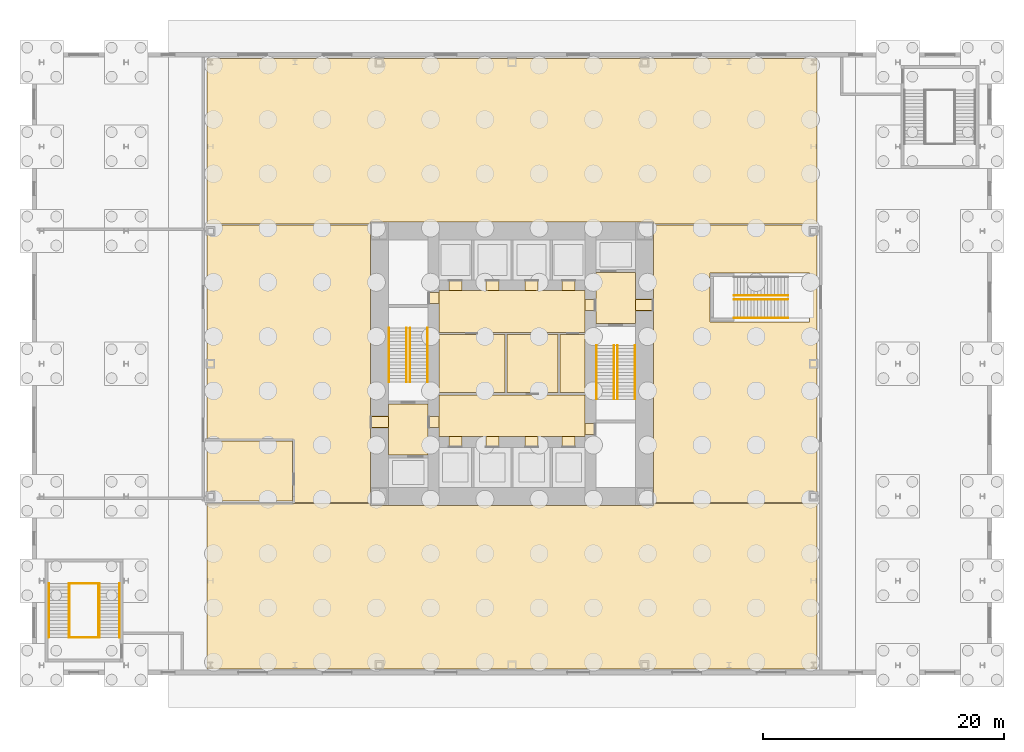
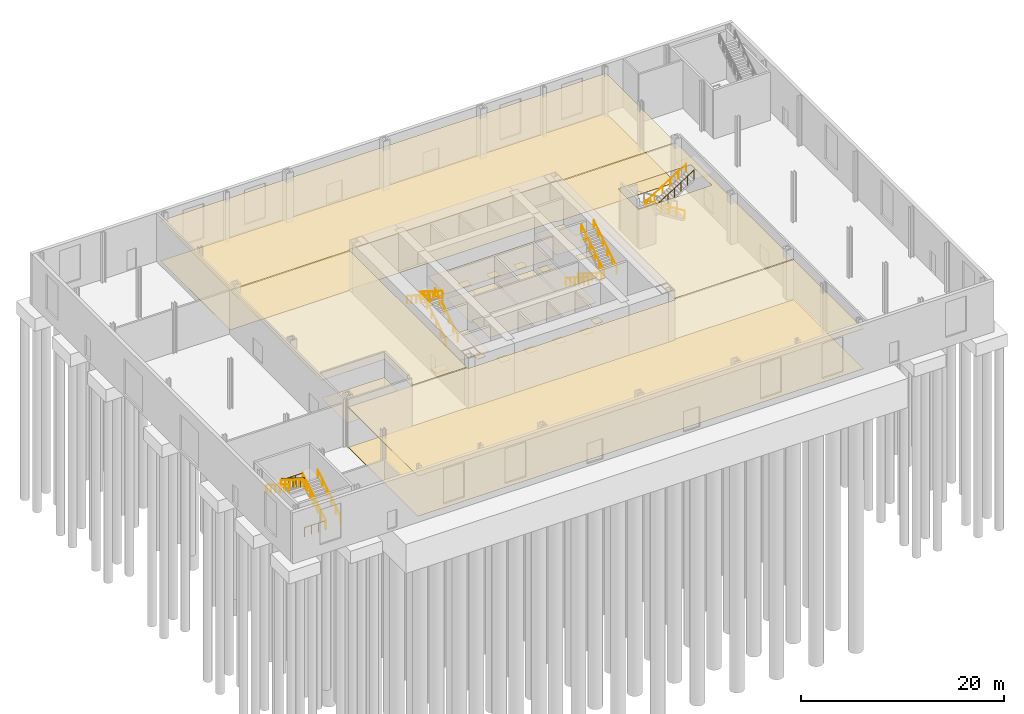
# One storey, part 14 of 16: 28 coverings, 19 railings.
"""IFC4 building model written with IfcOpenShell, lengths in metres."""

from ifc_helpers import new_model, si_unit, direction, frame, origin, origin_2d, place, context, subcontext, project, spatial, polyline, circle, outline, extrude, material, layer, layer_set, type_object, element, save


model = new_model("IFC4")

# Units and contexts
model_context = context("Model", 3, precision=1e-05, world=origin(), true_north=direction((0.0, 1.0)))
body_context = subcontext(model_context, "Body", "Model", "MODEL_VIEW")
ifc_project = project(units=[si_unit("LENGTHUNIT", "METRE"), si_unit("AREAUNIT", "SQUARE_METRE"), si_unit("VOLUMEUNIT", "CUBIC_METRE"), si_unit("PLANEANGLEUNIT", "RADIAN"), si_unit("MASSUNIT", "GRAM", prefix="KILO")], contexts=[model_context])

# Site, building, storey
site_placement = place(None, origin())
site = spatial("IfcSite", under=ifc_project, at=site_placement, CompositionType="ELEMENT")
building_placement = place(site_placement, origin())
building = spatial("IfcBuilding", under=site, at=building_placement, Name="Trevanion Tower", CompositionType="ELEMENT")
storey_placement = place(building_placement, origin())
storey = spatial("IfcBuildingStorey", under=building, at=storey_placement, Name="L00", CompositionType="ELEMENT", Elevation=0.0)

# Coverings
ifc_material_1 = material(Name="Fibrous plaster coffers on suspended steel grid", Category="steel")
ifc_layer_1 = layer(ifc_material_1, 0.050048828125)
ifc_layer_set_1 = layer_set([ifc_layer_1], Name="CL1 coffered fibrous plaster ceiling 50")
covering_type_1 = type_object("IfcCoveringType", Name="CL1 coffered fibrous plaster ceiling 50", PredefinedType="CEILING", material=ifc_layer_set_1)
covering_1_placement = place(storey_placement, frame((0.0, 0.0, 3.0)))
element("IfcCovering", 1, at=covering_1_placement, inside=storey, type_object=covering_type_1, Name="CL1 L00-LBN", PredefinedType="CEILING", context=body_context, shape_type="SweptSolid", body=[
    extrude(outline(polyline([(-6.050048828125, 2.60009765625), (-6.050048828125, 6.050048828125), (6.050048828125, 6.050048828125), (6.050048828125, 2.60009765625), (-6.050048828125, 2.60009765625)])), origin(), (0.0, 0.0, 1.0), 0.050048828125),
])
covering_2_placement = place(storey_placement, frame((0.0, 0.0, 3.0)))
element("IfcCovering", 2, at=covering_2_placement, inside=storey, type_object=covering_type_1, Name="CL1 L00-LBS", PredefinedType="CEILING", context=body_context, shape_type="SweptSolid", body=[
    extrude(outline(polyline([(-6.050048828125, -6.050048828125), (-6.050048828125, -2.60009765625), (6.050048828125, -2.60009765625), (6.050048828125, -6.050048828125), (-6.050048828125, -6.050048828125)])), origin(), (0.0, 0.0, 1.0), 0.050048828125),
])
covering_3_placement = place(storey_placement, frame((0.0, 0.0, 4.782958984375)))
element("IfcCovering", 3, at=covering_3_placement, inside=storey, type_object=covering_type_1, Name="CL1 L00-LBO", PredefinedType="CEILING", context=body_context, shape_type="SweptSolid", body=[
    extrude(outline(polyline([(-25.300048828125, -25.300048828125), (-25.300048828125, -11.60009765625), (-11.75, -11.60009765625), (-11.75, -11.75), (11.75, -11.75), (11.75, -11.60009765625), (25.300048828125, -11.60009765625), (25.300048828125, -25.300048828125), (-25.300048828125, -25.300048828125)])), origin(), (0.0, 0.0, 1.0), 0.050048828125),
])
covering_4_placement = place(storey_placement, frame((0.0, 0.0, 4.782958984375)))
element("IfcCovering", 4, at=covering_4_placement, inside=storey, type_object=covering_type_1, Name="CL1 L00-LBH", PredefinedType="CEILING", context=body_context, shape_type="SweptSolid", body=[
    extrude(outline(polyline([(11.75, 11.60009765625), (11.75, 11.75), (-11.75, 11.75), (-11.75, 11.60009765625), (-25.300048828125, 11.60009765625), (-25.300048828125, 25.300048828125), (25.300048828125, 25.300048828125), (25.300048828125, 11.60009765625), (11.75, 11.60009765625)])), origin(), (0.0, 0.0, 1.0), 0.050048828125),
])
covering_5_placement = place(storey_placement, frame((0.0, 0.0, 4.782958984375)))
element("IfcCovering", 5, at=covering_5_placement, inside=storey, type_object=covering_type_1, Name="CL1 L00-BH1", PredefinedType="CEILING", context=body_context, shape_type="SweptSolid", body=[
    extrude(outline(polyline([(11.75, 11.5), (25.300048828125, 11.5), (25.300048828125, -11.5), (11.75, -11.5), (11.75, 11.5)]), holes=[polyline([(24.679931640625, 3.469970703125), (24.679931640625, 7.530029296875), (16.39990234375, 7.530029296875), (16.39990234375, 3.469970703125), (24.679931640625, 3.469970703125)])]), origin(), (0.0, 0.0, 1.0), 0.050048828125),
])
covering_6_placement = place(storey_placement, frame((0.0, 0.0, 4.782958984375)))
element("IfcCovering", 6, at=covering_6_placement, inside=storey, type_object=covering_type_1, Name="CL1 L00-BH2", PredefinedType="CEILING", context=body_context, shape_type="SweptSolid", body=[
    extrude(outline(polyline([(-11.75, -11.5), (-18.10009765625, -11.5), (-18.10009765625, -6.300048828125), (-25.300048828125, -6.300048828125), (-25.300048828125, 11.5), (-11.75, 11.5), (-11.75, -11.5)])), origin(), (0.0, 0.0, 1.0), 0.050048828125),
])
ifc_material_2 = material(Name="Mineral fibre acoustic tiles in exposed grid", Category="mineral fibre")
ifc_layer_2 = layer(ifc_material_2, 0.02001953125)
ifc_layer_set_2 = layer_set([ifc_layer_2], Name="CL2 acoustic tile ceiling 20")
covering_type_2 = type_object("IfcCoveringType", Name="CL2 acoustic tile ceiling 20", PredefinedType="CEILING", material=ifc_layer_set_2)
covering_7_placement = place(storey_placement, frame((0.0, 0.0, 2.75)))
element("IfcCovering", 7, at=covering_7_placement, inside=storey, type_object=covering_type_2, Name="CL2 L00-FCC", PredefinedType="CEILING", context=body_context, shape_type="SweptSolid", body=[
    extrude(outline(polyline([(-18.199951171875, -6.39990234375), (-18.199951171875, -11.39990234375), (-25.300048828125, -11.39990234375), (-25.300048828125, -6.39990234375), (-18.199951171875, -6.39990234375)])), origin(), (0.0, 0.0, 1.0), 0.02001953125),
])
ifc_material_3 = material(Name="Gypsum plasterboard on suspended metal furring", Category="gypsum")
ifc_layer_3 = layer(ifc_material_3, 0.012939453125)
ifc_layer_set_3 = layer_set([ifc_layer_3], Name="CL3 plasterboard ceiling 13")
covering_type_3 = type_object("IfcCoveringType", Name="CL3 plasterboard ceiling 13", PredefinedType="CEILING", material=ifc_layer_set_3)
covering_8_placement = place(storey_placement, frame((0.0, 0.0, 2.699951171875)))
element("IfcCovering", 8, at=covering_8_placement, inside=storey, type_object=covering_type_3, Name="CL3 L00-FV1", PredefinedType="CEILING", context=body_context, shape_type="SweptSolid", body=[
    extrude(outline(polyline([(6.949951171875, 3.324951171875), (6.949951171875, 7.574951171875), (10.25, 7.574951171875), (10.25, 5.35009765625), (11.60009765625, 5.35009765625), (11.60009765625, 4.35009765625), (10.25, 4.35009765625), (10.25, 3.324951171875), (6.949951171875, 3.324951171875)])), origin(), (0.0, 0.0, 1.0), 0.012939453125),
])
covering_9_placement = place(storey_placement, frame((0.0, 0.0, 2.699951171875)))
element("IfcCovering", 9, at=covering_9_placement, inside=storey, type_object=covering_type_3, Name="CL3 L00-FV2", PredefinedType="CEILING", context=body_context, shape_type="SweptSolid", body=[
    extrude(outline(polyline([(-6.949951171875, -3.324951171875), (-6.949951171875, -7.574951171875), (-10.25, -7.574951171875), (-10.25, -5.35009765625), (-11.60009765625, -5.35009765625), (-11.60009765625, -4.35009765625), (-10.25, -4.35009765625), (-10.25, -3.324951171875), (-6.949951171875, -3.324951171875)])), origin(), (0.0, 0.0, 1.0), 0.012939453125),
])
ifc_material_4 = material(Name="Moisture-resistant gypsum board on suspended metal furring", Category="gypsum")
ifc_layer_4 = layer(ifc_material_4, 0.01611328125)
ifc_layer_set_4 = layer_set([ifc_layer_4], Name="CL4 moisture-resistant board ceiling 16")
covering_type_4 = type_object("IfcCoveringType", Name="CL4 moisture-resistant board ceiling 16", PredefinedType="CEILING", material=ifc_layer_set_4)
covering_10_placement = place(storey_placement, frame((0.0, 0.0, 2.60009765625)))
element("IfcCovering", 10, at=covering_10_placement, inside=storey, type_object=covering_type_4, Name="CL4 L00-WCM", PredefinedType="CEILING", context=body_context, shape_type="SweptSolid", body=[
    extrude(outline(polyline([(-6.050048828125, -2.39990234375), (-6.050048828125, 2.39990234375), (-0.60009765625, 2.39990234375), (-0.60009765625, -2.39990234375), (-6.050048828125, -2.39990234375)])), origin(), (0.0, 0.0, 1.0), 0.015869140625),
])
covering_11_placement = place(storey_placement, frame((0.0, 0.0, 2.60009765625)))
element("IfcCovering", 11, at=covering_11_placement, inside=storey, type_object=covering_type_4, Name="CL4 L00-WCF", PredefinedType="CEILING", context=body_context, shape_type="SweptSolid", body=[
    extrude(outline(polyline([(-0.39990234375, -2.39990234375), (-0.39990234375, 2.39990234375), (3.800048828125, 2.39990234375), (3.800048828125, -2.39990234375), (-0.39990234375, -2.39990234375)])), origin(), (0.0, 0.0, 1.0), 0.015869140625),
])
covering_12_placement = place(storey_placement, frame((0.0, 0.0, 2.60009765625)))
element("IfcCovering", 12, at=covering_12_placement, inside=storey, type_object=covering_type_4, Name="CL4 L00-WCA", PredefinedType="CEILING", context=body_context, shape_type="SweptSolid", body=[
    extrude(outline(polyline([(4.0, -2.39990234375), (4.0, 2.39990234375), (6.050048828125, 2.39990234375), (6.050048828125, -2.39990234375), (4.0, -2.39990234375)])), origin(), (0.0, 0.0, 1.0), 0.015869140625),
])
ifc_material_5 = material(Name="Terrazzo, brass divider strips", Category="stone")
ifc_layer_5 = layer(ifc_material_5, 0.02001953125)
ifc_layer_set_5 = layer_set([ifc_layer_5], Name="FF1 terrazzo flooring")
covering_type_5 = type_object("IfcCoveringType", Name="FF1 terrazzo flooring", PredefinedType="FLOORING", material=ifc_layer_set_5)
covering_13_placement = place(storey_placement, frame((0.0, 0.0, 0.300048828125)))
element("IfcCovering", 13, at=covering_13_placement, inside=storey, type_object=covering_type_5, Name="FF1 threshold 00-001", PredefinedType="FLOORING", context=body_context, shape_type="SweptSolid", body=[
    extrude(outline(polyline([(11.75, 4.392578125), (11.75, 5.3076171875), (10.25, 5.3076171875), (10.25, 4.392578125), (11.75, 4.392578125)])), origin(), (0.0, 0.0, 1.0), 0.02001953125),
])
covering_14_placement = place(storey_placement, frame((0.0, 0.0, 0.300048828125)))
element("IfcCovering", 14, at=covering_14_placement, inside=storey, type_object=covering_type_5, Name="FF1 threshold 00-002", PredefinedType="FLOORING", context=body_context, shape_type="SweptSolid", body=[
    extrude(outline(polyline([(-11.75, -4.392578125), (-11.75, -5.3076171875), (-10.25, -5.3076171875), (-10.25, -4.392578125), (-11.75, -4.392578125)])), origin(), (0.0, 0.0, 1.0), 0.02001953125),
])
covering_15_placement = place(storey_placement, frame((0.0, 0.0, 0.300048828125)))
element("IfcCovering", 15, at=covering_15_placement, inside=storey, type_object=covering_type_5, Name="FF1 threshold 00-003", PredefinedType="FLOORING", context=body_context, shape_type="SweptSolid", body=[
    extrude(outline(polyline([(6.949951171875, 4.392578125), (6.949951171875, 5.3076171875), (6.050048828125, 5.3076171875), (6.050048828125, 4.392578125), (6.949951171875, 4.392578125)])), origin(), (0.0, 0.0, 1.0), 0.02001953125),
])
covering_16_placement = place(storey_placement, frame((0.0, 0.0, 0.300048828125)))
element("IfcCovering", 16, at=covering_16_placement, inside=storey, type_object=covering_type_5, Name="FF1 threshold 00-004", PredefinedType="FLOORING", context=body_context, shape_type="SweptSolid", body=[
    extrude(outline(polyline([(-6.949951171875, -4.392578125), (-6.949951171875, -5.3076171875), (-6.050048828125, -5.3076171875), (-6.050048828125, -4.392578125), (-6.949951171875, -4.392578125)])), origin(), (0.0, 0.0, 1.0), 0.02001953125),
])
covering_17_placement = place(storey_placement, frame((0.0, 0.0, 0.300048828125)))
element("IfcCovering", 17, at=covering_17_placement, inside=storey, type_object=covering_type_5, Name="FF1 threshold 00-009", PredefinedType="FLOORING", context=body_context, shape_type="SweptSolid", body=[
    extrude(outline(polyline([(6.949951171875, -5.889892578125), (6.949951171875, -4.97509765625), (6.050048828125, -4.97509765625), (6.050048828125, -5.889892578125), (6.949951171875, -5.889892578125)])), origin(), (0.0, 0.0, 1.0), 0.02001953125),
])
covering_18_placement = place(storey_placement, frame((0.0, 0.0, 0.300048828125)))
element("IfcCovering", 18, at=covering_18_placement, inside=storey, type_object=covering_type_5, Name="FF1 threshold 00-010", PredefinedType="FLOORING", context=body_context, shape_type="SweptSolid", body=[
    extrude(outline(polyline([(-6.949951171875, 5.889892578125), (-6.949951171875, 4.97509765625), (-6.050048828125, 4.97509765625), (-6.050048828125, 5.889892578125), (-6.949951171875, 5.889892578125)])), origin(), (0.0, 0.0, 1.0), 0.02001953125),
])
covering_19_placement = place(storey_placement, frame((0.0, 0.0, 0.300048828125)))
element("IfcCovering", 19, at=covering_19_placement, inside=storey, type_object=covering_type_5, Name="FF1 threshold 00-011", PredefinedType="FLOORING", context=body_context, shape_type="SweptSolid", body=[
    extrude(outline(polyline([(-4.16650390625, 6.949951171875), (-5.2333984375, 6.949951171875), (-5.2333984375, 6.050048828125), (-4.16650390625, 6.050048828125), (-4.16650390625, 6.949951171875)])), origin(), (0.0, 0.0, 1.0), 0.02001953125),
])
covering_20_placement = place(storey_placement, frame((0.0, 0.0, 0.300048828125)))
element("IfcCovering", 20, at=covering_20_placement, inside=storey, type_object=covering_type_5, Name="FF1 threshold 00-012", PredefinedType="FLOORING", context=body_context, shape_type="SweptSolid", body=[
    extrude(outline(polyline([(-1.091552734375, 6.949951171875), (-2.158447265625, 6.949951171875), (-2.158447265625, 6.050048828125), (-1.091552734375, 6.050048828125), (-1.091552734375, 6.949951171875)])), origin(), (0.0, 0.0, 1.0), 0.02001953125),
])
covering_21_placement = place(storey_placement, frame((0.0, 0.0, 0.300048828125)))
element("IfcCovering", 21, at=covering_21_placement, inside=storey, type_object=covering_type_5, Name="FF1 threshold 00-013", PredefinedType="FLOORING", context=body_context, shape_type="SweptSolid", body=[
    extrude(outline(polyline([(2.158447265625, 6.949951171875), (1.091552734375, 6.949951171875), (1.091552734375, 6.050048828125), (2.158447265625, 6.050048828125), (2.158447265625, 6.949951171875)])), origin(), (0.0, 0.0, 1.0), 0.02001953125),
])
covering_22_placement = place(storey_placement, frame((0.0, 0.0, 0.300048828125)))
element("IfcCovering", 22, at=covering_22_placement, inside=storey, type_object=covering_type_5, Name="FF1 threshold 00-014", PredefinedType="FLOORING", context=body_context, shape_type="SweptSolid", body=[
    extrude(outline(polyline([(5.2333984375, 6.949951171875), (4.16650390625, 6.949951171875), (4.16650390625, 6.050048828125), (5.2333984375, 6.050048828125), (5.2333984375, 6.949951171875)])), origin(), (0.0, 0.0, 1.0), 0.02001953125),
])
covering_23_placement = place(storey_placement, frame((0.0, 0.0, 0.300048828125)))
element("IfcCovering", 23, at=covering_23_placement, inside=storey, type_object=covering_type_5, Name="FF1 threshold 00-015", PredefinedType="FLOORING", context=body_context, shape_type="SweptSolid", body=[
    extrude(outline(polyline([(-5.2333984375, -6.949951171875), (-4.16650390625, -6.949951171875), (-4.16650390625, -6.050048828125), (-5.2333984375, -6.050048828125), (-5.2333984375, -6.949951171875)])), origin(), (0.0, 0.0, 1.0), 0.02001953125),
])
covering_24_placement = place(storey_placement, frame((0.0, 0.0, 0.300048828125)))
element("IfcCovering", 24, at=covering_24_placement, inside=storey, type_object=covering_type_5, Name="FF1 threshold 00-016", PredefinedType="FLOORING", context=body_context, shape_type="SweptSolid", body=[
    extrude(outline(polyline([(-2.158447265625, -6.949951171875), (-1.091552734375, -6.949951171875), (-1.091552734375, -6.050048828125), (-2.158447265625, -6.050048828125), (-2.158447265625, -6.949951171875)])), origin(), (0.0, 0.0, 1.0), 0.02001953125),
])
covering_25_placement = place(storey_placement, frame((0.0, 0.0, 0.300048828125)))
element("IfcCovering", 25, at=covering_25_placement, inside=storey, type_object=covering_type_5, Name="FF1 threshold 00-017", PredefinedType="FLOORING", context=body_context, shape_type="SweptSolid", body=[
    extrude(outline(polyline([(1.091552734375, -6.949951171875), (2.158447265625, -6.949951171875), (2.158447265625, -6.050048828125), (1.091552734375, -6.050048828125), (1.091552734375, -6.949951171875)])), origin(), (0.0, 0.0, 1.0), 0.02001953125),
])
covering_26_placement = place(storey_placement, frame((0.0, 0.0, 0.300048828125)))
element("IfcCovering", 26, at=covering_26_placement, inside=storey, type_object=covering_type_5, Name="FF1 threshold 00-018", PredefinedType="FLOORING", context=body_context, shape_type="SweptSolid", body=[
    extrude(outline(polyline([(4.16650390625, -6.949951171875), (5.2333984375, -6.949951171875), (5.2333984375, -6.050048828125), (4.16650390625, -6.050048828125), (4.16650390625, -6.949951171875)])), origin(), (0.0, 0.0, 1.0), 0.02001953125),
])
covering_27_placement = place(storey_placement, origin())
element("IfcCovering", 27, at=covering_27_placement, inside=storey, type_object=covering_type_5, Name="FF1 L00-LBO", PredefinedType="FLOORING", context=body_context, shape_type="SweptSolid", body=[
    extrude(outline(polyline([(25.300048828125, -25.300048828125), (-25.300048828125, -25.300048828125), (-25.300048828125, -11.60009765625), (-11.75, -11.60009765625), (-11.75, -11.75), (11.75, -11.75), (11.75, -11.60009765625), (25.300048828125, -11.60009765625), (25.300048828125, -25.300048828125)])), origin(), (0.0, 0.0, 1.0), 0.02001953125),
])
covering_28_placement = place(storey_placement, origin())
element("IfcCovering", 28, at=covering_28_placement, inside=storey, type_object=covering_type_5, Name="FF1 L00-LBH", PredefinedType="FLOORING", context=body_context, shape_type="SweptSolid", body=[
    extrude(outline(polyline([(25.300048828125, 11.60009765625), (11.75, 11.60009765625), (11.75, 11.75), (-11.75, 11.75), (-11.75, 11.60009765625), (-25.300048828125, 11.60009765625), (-25.300048828125, 25.300048828125), (25.300048828125, 25.300048828125), (25.300048828125, 11.60009765625)])), origin(), (0.0, 0.0, 1.0), 0.02001953125),
])

# Railings
ifc_material_6 = material(Name="Painted steel balusters and stainless steel top rail", Category="steel")
railing_type_1 = type_object("IfcRailingType", Name="GR1 stair guard 1100", PredefinedType="GUARDRAIL", material=ifc_material_6)
for number, where, name in (
    (29, (-34.284912109375, -22.705078125, 0.0), "GR1 ST4 L00 floor landing well guard"),
    (30, (-34.284912109375, -18.22509765625, 3.0), "GR1 ST4 L00 half landing well guard"),
):
    element("IfcRailing", number, at=place(storey_placement, frame(where)), inside=storey, type_object=railing_type_1, Name=name, PredefinedType="GUARDRAIL", context=body_context, shape_type="SweptSolid", body=[
        extrude(circle(Radius=0.02490234375, at=origin_2d()), frame((0.0, 0.0, 1.0751953125), z_axis=(-1.0, 0.0, 0.0), x_axis=(0.0, -1.0, 0.0)), (0.0, 0.0, 1.0), 2.405029296875),
        extrude(circle(Radius=0.02001953125, at=origin_2d()), origin(), (0.0, 0.0, 1.0), 1.050048828125),
        extrude(circle(Radius=0.02001953125, at=origin_2d()), frame((-0.8017578125, 0.0, 0.0)), (0.0, 0.0, 1.0), 1.050048828125),
        extrude(circle(Radius=0.02001953125, at=origin_2d()), frame((-1.603271484375, 0.0, 0.0)), (0.0, 0.0, 1.0), 1.050048828125),
        extrude(circle(Radius=0.02001953125, at=origin_2d()), frame((-2.405029296875, 0.0, 0.0)), (0.0, 0.0, 1.0), 1.050048828125),
    ])
railing_1_placement = place(storey_placement, frame((-34.284912109375, -22.705078125, 0.176513671875)))
element("IfcRailing", 31, at=railing_1_placement, inside=storey, type_object=railing_type_1, Name="GR1 ST4 L00 flight 1 well guard", PredefinedType="GUARDRAIL", context=body_context, shape_type="SweptSolid", body=[
    extrude(circle(Radius=0.02490234375, at=origin_2d()), frame((0.0, 0.0, 1.0751953125), z_axis=(0.0, 0.845997938375, 0.533186166611), x_axis=(-1.0, 0.0, 0.0)), (0.0, 0.0, 1.0), 5.29541015625),
    extrude(circle(Radius=0.02001953125, at=origin_2d()), origin(), (0.0, 0.0, 1.0), 1.050048828125),
    extrude(circle(Radius=0.02001953125, at=origin_2d()), frame((0.0, 0.74658203125, 0.470703125)), (0.0, 0.0, 1.0), 1.050048828125),
    extrude(circle(Radius=0.02001953125, at=origin_2d()), frame((0.0, 1.493408203125, 0.941162109375)), (0.0, 0.0, 1.0), 1.050048828125),
    extrude(circle(Radius=0.02001953125, at=origin_2d()), frame((0.0, 2.239990234375, 1.41162109375)), (0.0, 0.0, 1.0), 1.050048828125),
    extrude(circle(Radius=0.02001953125, at=origin_2d()), frame((0.0, 2.986572265625, 1.88232421875)), (0.0, 0.0, 1.0), 1.050048828125),
    extrude(circle(Radius=0.02001953125, at=origin_2d()), frame((0.0, 3.7333984375, 2.35302734375)), (0.0, 0.0, 1.0), 1.050048828125),
    extrude(circle(Radius=0.02001953125, at=origin_2d()), frame((0.0, 4.47998046875, 2.823486328125)), (0.0, 0.0, 1.0), 1.050048828125),
])
railing_2_placement = place(storey_placement, frame((-36.68994140625, -18.22509765625, 3.176513671875)))
element("IfcRailing", 32, at=railing_2_placement, inside=storey, type_object=railing_type_1, Name="GR1 ST4 L00 flight 2 well guard", PredefinedType="GUARDRAIL", context=body_context, shape_type="SweptSolid", body=[
    extrude(circle(Radius=0.02490234375, at=origin_2d()), frame((0.0, 0.0, 1.0751953125), z_axis=(0.0, -0.845997938375, 0.533186166611), x_axis=(1.0, 0.0, 0.0)), (0.0, 0.0, 1.0), 5.29541015625),
    extrude(circle(Radius=0.02001953125, at=origin_2d()), origin(), (0.0, 0.0, 1.0), 1.050048828125),
    extrude(circle(Radius=0.02001953125, at=origin_2d()), frame((0.0, -0.74658203125, 0.470703125)), (0.0, 0.0, 1.0), 1.050048828125),
    extrude(circle(Radius=0.02001953125, at=origin_2d()), frame((0.0, -1.493408203125, 0.941162109375)), (0.0, 0.0, 1.0), 1.050048828125),
    extrude(circle(Radius=0.02001953125, at=origin_2d()), frame((0.0, -2.239990234375, 1.41162109375)), (0.0, 0.0, 1.0), 1.050048828125),
    extrude(circle(Radius=0.02001953125, at=origin_2d()), frame((0.0, -2.986572265625, 1.88232421875)), (0.0, 0.0, 1.0), 1.050048828125),
    extrude(circle(Radius=0.02001953125, at=origin_2d()), frame((0.0, -3.7333984375, 2.35302734375)), (0.0, 0.0, 1.0), 1.050048828125),
    extrude(circle(Radius=0.02001953125, at=origin_2d()), frame((0.0, -4.47998046875, 2.823486328125)), (0.0, 0.0, 1.0), 1.050048828125),
])
ifc_material_7 = material(Name="Cast bronze balusters and bronze top rail", Category="bronze")
railing_type_2 = type_object("IfcRailingType", Name="GR2 grand stair balustrade 1100", PredefinedType="GUARDRAIL", material=ifc_material_7)
railing_3_placement = place(storey_placement, frame((18.39990234375, 3.800048828125, 3.176513671875)))
element("IfcRailing", 33, at=railing_3_placement, inside=storey, type_object=railing_type_2, Name="GR2 GS1 L00 flight 2 balustrade", PredefinedType="GUARDRAIL", context=body_context, shape_type="SweptSolid", body=[
    extrude(circle(Radius=0.02490234375, at=origin_2d()), frame((0.0, 0.0, 1.0751953125), z_axis=(0.845997938375, 0.0, 0.533186166611), x_axis=(0.0, 1.0, 0.0)), (0.0, 0.0, 1.0), 5.29541015625),
    extrude(circle(Radius=0.02001953125, at=origin_2d()), origin(), (0.0, 0.0, 1.0), 1.050048828125),
    extrude(circle(Radius=0.02001953125, at=origin_2d()), frame((0.74658203125, 0.0, 0.470703125)), (0.0, 0.0, 1.0), 1.050048828125),
    extrude(circle(Radius=0.02001953125, at=origin_2d()), frame((1.493408203125, 0.0, 0.941162109375)), (0.0, 0.0, 1.0), 1.050048828125),
    extrude(circle(Radius=0.02001953125, at=origin_2d()), frame((2.239990234375, 0.0, 1.41162109375)), (0.0, 0.0, 1.0), 1.050048828125),
    extrude(circle(Radius=0.02001953125, at=origin_2d()), frame((2.986572265625, 0.0, 1.88232421875)), (0.0, 0.0, 1.0), 1.050048828125),
    extrude(circle(Radius=0.02001953125, at=origin_2d()), frame((3.7333984375, 0.0, 2.35302734375)), (0.0, 0.0, 1.0), 1.050048828125),
    extrude(circle(Radius=0.02001953125, at=origin_2d()), frame((4.47998046875, 0.0, 2.823486328125)), (0.0, 0.0, 1.0), 1.050048828125),
])
ifc_material_8 = material(Name="Stainless steel tube 40 mm", Category="steel")
railing_type_3 = type_object("IfcRailingType", Name="HR1 handrail", PredefinedType="HANDRAIL", material=ifc_material_8)
for number, where, name in (
    (34, (7.010009765625, 1.52490234375, 0.176513671875), "HR1 ST1 L00 flight 1"),
    (35, (8.43994140625, 1.52490234375, 0.176513671875), "HR1 ST1 L00 flight 1"),
):
    element("IfcRailing", number, at=place(storey_placement, frame(where)), inside=storey, type_object=railing_type_3, Name=name, PredefinedType="HANDRAIL", context=body_context, shape_type="SweptSolid", body=[
        extrude(circle(Radius=0.02001953125, at=origin_2d()), frame((0.0, 0.0, 0.8798828125), z_axis=(0.0, -0.845997938375, 0.533186166611), x_axis=(1.0, 0.0, 0.0)), (0.0, 0.0, 1.0), 5.29541015625),
        extrude(circle(Radius=0.01513671875, at=origin_2d()), origin(), (0.0, 0.0, 1.0), 0.85986328125),
        extrude(circle(Radius=0.01513671875, at=origin_2d()), frame((0.0, -0.89599609375, 0.564697265625)), (0.0, 0.0, 1.0), 0.85986328125),
        extrude(circle(Radius=0.01513671875, at=origin_2d()), frame((0.0, -1.7919921875, 1.12939453125)), (0.0, 0.0, 1.0), 0.85986328125),
        extrude(circle(Radius=0.01513671875, at=origin_2d()), frame((0.0, -2.68798828125, 1.694091796875)), (0.0, 0.0, 1.0), 0.85986328125),
        extrude(circle(Radius=0.01513671875, at=origin_2d()), frame((0.0, -3.583984375, 2.2587890625)), (0.0, 0.0, 1.0), 0.85986328125),
        extrude(circle(Radius=0.01513671875, at=origin_2d()), frame((0.0, -4.47998046875, 2.823486328125)), (0.0, 0.0, 1.0), 0.85986328125),
    ])
for number, where, name in (
    (36, (8.760009765625, -2.955078125, 3.176513671875), "HR1 ST1 L00 flight 2"),
    (37, (10.18994140625, -2.955078125, 3.176513671875), "HR1 ST1 L00 flight 2"),
    (38, (-7.010009765625, -1.52490234375, 0.176513671875), "HR1 ST2 L00 flight 1"),
    (39, (-8.43994140625, -1.52490234375, 0.176513671875), "HR1 ST2 L00 flight 1"),
):
    element("IfcRailing", number, at=place(storey_placement, frame(where)), inside=storey, type_object=railing_type_3, Name=name, PredefinedType="HANDRAIL", context=body_context, shape_type="SweptSolid", body=[
        extrude(circle(Radius=0.02001953125, at=origin_2d()), frame((0.0, 0.0, 0.8798828125), z_axis=(0.0, 0.845997938375, 0.533186166611), x_axis=(-1.0, 0.0, 0.0)), (0.0, 0.0, 1.0), 5.29541015625),
        extrude(circle(Radius=0.01513671875, at=origin_2d()), origin(), (0.0, 0.0, 1.0), 0.85986328125),
        extrude(circle(Radius=0.01513671875, at=origin_2d()), frame((0.0, 0.89599609375, 0.564697265625)), (0.0, 0.0, 1.0), 0.85986328125),
        extrude(circle(Radius=0.01513671875, at=origin_2d()), frame((0.0, 1.7919921875, 1.12939453125)), (0.0, 0.0, 1.0), 0.85986328125),
        extrude(circle(Radius=0.01513671875, at=origin_2d()), frame((0.0, 2.68798828125, 1.694091796875)), (0.0, 0.0, 1.0), 0.85986328125),
        extrude(circle(Radius=0.01513671875, at=origin_2d()), frame((0.0, 3.583984375, 2.2587890625)), (0.0, 0.0, 1.0), 0.85986328125),
        extrude(circle(Radius=0.01513671875, at=origin_2d()), frame((0.0, 4.47998046875, 2.823486328125)), (0.0, 0.0, 1.0), 0.85986328125),
    ])
for number, where, name in (
    (40, (-8.760009765625, 2.955078125, 3.176513671875), "HR1 ST2 L00 flight 2"),
    (41, (-10.18994140625, 2.955078125, 3.176513671875), "HR1 ST2 L00 flight 2"),
):
    element("IfcRailing", number, at=place(storey_placement, frame(where)), inside=storey, type_object=railing_type_3, Name=name, PredefinedType="HANDRAIL", context=body_context, shape_type="SweptSolid", body=[
        extrude(circle(Radius=0.02001953125, at=origin_2d()), frame((0.0, 0.0, 0.8798828125), z_axis=(0.0, -0.845997938375, 0.533186166611), x_axis=(1.0, 0.0, 0.0)), (0.0, 0.0, 1.0), 5.29541015625),
        extrude(circle(Radius=0.01513671875, at=origin_2d()), origin(), (0.0, 0.0, 1.0), 0.85986328125),
        extrude(circle(Radius=0.01513671875, at=origin_2d()), frame((0.0, -0.89599609375, 0.564697265625)), (0.0, 0.0, 1.0), 0.85986328125),
        extrude(circle(Radius=0.01513671875, at=origin_2d()), frame((0.0, -1.7919921875, 1.12939453125)), (0.0, 0.0, 1.0), 0.85986328125),
        extrude(circle(Radius=0.01513671875, at=origin_2d()), frame((0.0, -2.68798828125, 1.694091796875)), (0.0, 0.0, 1.0), 0.85986328125),
        extrude(circle(Radius=0.01513671875, at=origin_2d()), frame((0.0, -3.583984375, 2.2587890625)), (0.0, 0.0, 1.0), 0.85986328125),
        extrude(circle(Radius=0.01513671875, at=origin_2d()), frame((0.0, -4.47998046875, 2.823486328125)), (0.0, 0.0, 1.0), 0.85986328125),
    ])
for number, where, name in (
    (42, (-32.56005859375, -22.705078125, 0.176513671875), "HR1 ST4 L00 flight 1"),
    (43, (-34.22509765625, -22.705078125, 0.176513671875), "HR1 ST4 L00 flight 1"),
):
    element("IfcRailing", number, at=place(storey_placement, frame(where)), inside=storey, type_object=railing_type_3, Name=name, PredefinedType="HANDRAIL", context=body_context, shape_type="SweptSolid", body=[
        extrude(circle(Radius=0.02001953125, at=origin_2d()), frame((0.0, 0.0, 0.8798828125), z_axis=(0.0, 0.845997938375, 0.533186166611), x_axis=(-1.0, 0.0, 0.0)), (0.0, 0.0, 1.0), 5.29541015625),
        extrude(circle(Radius=0.01513671875, at=origin_2d()), origin(), (0.0, 0.0, 1.0), 0.85986328125),
        extrude(circle(Radius=0.01513671875, at=origin_2d()), frame((0.0, 0.89599609375, 0.564697265625)), (0.0, 0.0, 1.0), 0.85986328125),
        extrude(circle(Radius=0.01513671875, at=origin_2d()), frame((0.0, 1.7919921875, 1.12939453125)), (0.0, 0.0, 1.0), 0.85986328125),
        extrude(circle(Radius=0.01513671875, at=origin_2d()), frame((0.0, 2.68798828125, 1.694091796875)), (0.0, 0.0, 1.0), 0.85986328125),
        extrude(circle(Radius=0.01513671875, at=origin_2d()), frame((0.0, 3.583984375, 2.2587890625)), (0.0, 0.0, 1.0), 0.85986328125),
        extrude(circle(Radius=0.01513671875, at=origin_2d()), frame((0.0, 4.47998046875, 2.823486328125)), (0.0, 0.0, 1.0), 0.85986328125),
    ])
for number, where, name in (
    (44, (-36.75, -18.22509765625, 3.176513671875), "HR1 ST4 L00 flight 2"),
    (45, (-38.4150390625, -18.22509765625, 3.176513671875), "HR1 ST4 L00 flight 2"),
):
    element("IfcRailing", number, at=place(storey_placement, frame(where)), inside=storey, type_object=railing_type_3, Name=name, PredefinedType="HANDRAIL", context=body_context, shape_type="SweptSolid", body=[
        extrude(circle(Radius=0.02001953125, at=origin_2d()), frame((0.0, 0.0, 0.8798828125), z_axis=(0.0, -0.845997938375, 0.533186166611), x_axis=(1.0, 0.0, 0.0)), (0.0, 0.0, 1.0), 5.29541015625),
        extrude(circle(Radius=0.01513671875, at=origin_2d()), origin(), (0.0, 0.0, 1.0), 0.85986328125),
        extrude(circle(Radius=0.01513671875, at=origin_2d()), frame((0.0, -0.89599609375, 0.564697265625)), (0.0, 0.0, 1.0), 0.85986328125),
        extrude(circle(Radius=0.01513671875, at=origin_2d()), frame((0.0, -1.7919921875, 1.12939453125)), (0.0, 0.0, 1.0), 0.85986328125),
        extrude(circle(Radius=0.01513671875, at=origin_2d()), frame((0.0, -2.68798828125, 1.694091796875)), (0.0, 0.0, 1.0), 0.85986328125),
        extrude(circle(Radius=0.01513671875, at=origin_2d()), frame((0.0, -3.583984375, 2.2587890625)), (0.0, 0.0, 1.0), 0.85986328125),
        extrude(circle(Radius=0.01513671875, at=origin_2d()), frame((0.0, -4.47998046875, 2.823486328125)), (0.0, 0.0, 1.0), 0.85986328125),
    ])
railing_4_placement = place(storey_placement, frame((22.8798828125, 5.659912109375, 0.176513671875)))
element("IfcRailing", 46, at=railing_4_placement, inside=storey, type_object=railing_type_3, Name="HR1 GS1 L00 flight 1", PredefinedType="HANDRAIL", context=body_context, shape_type="SweptSolid", body=[
    extrude(circle(Radius=0.02001953125, at=origin_2d()), frame((0.0, 0.0, 0.8798828125), z_axis=(-0.845997938375, 0.0, 0.533186166611), x_axis=(0.0, -1.0, 0.0)), (0.0, 0.0, 1.0), 5.29541015625),
    extrude(circle(Radius=0.01513671875, at=origin_2d()), origin(), (0.0, 0.0, 1.0), 0.85986328125),
    extrude(circle(Radius=0.01513671875, at=origin_2d()), frame((-0.89599609375, 0.0, 0.564697265625)), (0.0, 0.0, 1.0), 0.85986328125),
    extrude(circle(Radius=0.01513671875, at=origin_2d()), frame((-1.7919921875, 0.0, 1.12939453125)), (0.0, 0.0, 1.0), 0.85986328125),
    extrude(circle(Radius=0.01513671875, at=origin_2d()), frame((-2.68798828125, 0.0, 1.694091796875)), (0.0, 0.0, 1.0), 0.85986328125),
    extrude(circle(Radius=0.01513671875, at=origin_2d()), frame((-3.583984375, 0.0, 2.2587890625)), (0.0, 0.0, 1.0), 0.85986328125),
    extrude(circle(Radius=0.01513671875, at=origin_2d()), frame((-4.47998046875, 0.0, 2.823486328125)), (0.0, 0.0, 1.0), 0.85986328125),
])
railing_5_placement = place(storey_placement, frame((18.39990234375, 5.340087890625, 3.176513671875)))
element("IfcRailing", 47, at=railing_5_placement, inside=storey, type_object=railing_type_3, Name="HR1 GS1 L00 flight 2", PredefinedType="HANDRAIL", context=body_context, shape_type="SweptSolid", body=[
    extrude(circle(Radius=0.02001953125, at=origin_2d()), frame((0.0, 0.0, 0.8798828125), z_axis=(0.845997938375, 0.0, 0.533186166611), x_axis=(0.0, 1.0, 0.0)), (0.0, 0.0, 1.0), 5.29541015625),
    extrude(circle(Radius=0.01513671875, at=origin_2d()), origin(), (0.0, 0.0, 1.0), 0.85986328125),
    extrude(circle(Radius=0.01513671875, at=origin_2d()), frame((0.89599609375, 0.0, 0.564697265625)), (0.0, 0.0, 1.0), 0.85986328125),
    extrude(circle(Radius=0.01513671875, at=origin_2d()), frame((1.7919921875, 0.0, 1.12939453125)), (0.0, 0.0, 1.0), 0.85986328125),
    extrude(circle(Radius=0.01513671875, at=origin_2d()), frame((2.68798828125, 0.0, 1.694091796875)), (0.0, 0.0, 1.0), 0.85986328125),
    extrude(circle(Radius=0.01513671875, at=origin_2d()), frame((3.583984375, 0.0, 2.2587890625)), (0.0, 0.0, 1.0), 0.85986328125),
    extrude(circle(Radius=0.01513671875, at=origin_2d()), frame((4.47998046875, 0.0, 2.823486328125)), (0.0, 0.0, 1.0), 0.85986328125),
])

save(model, "model.ifc")
